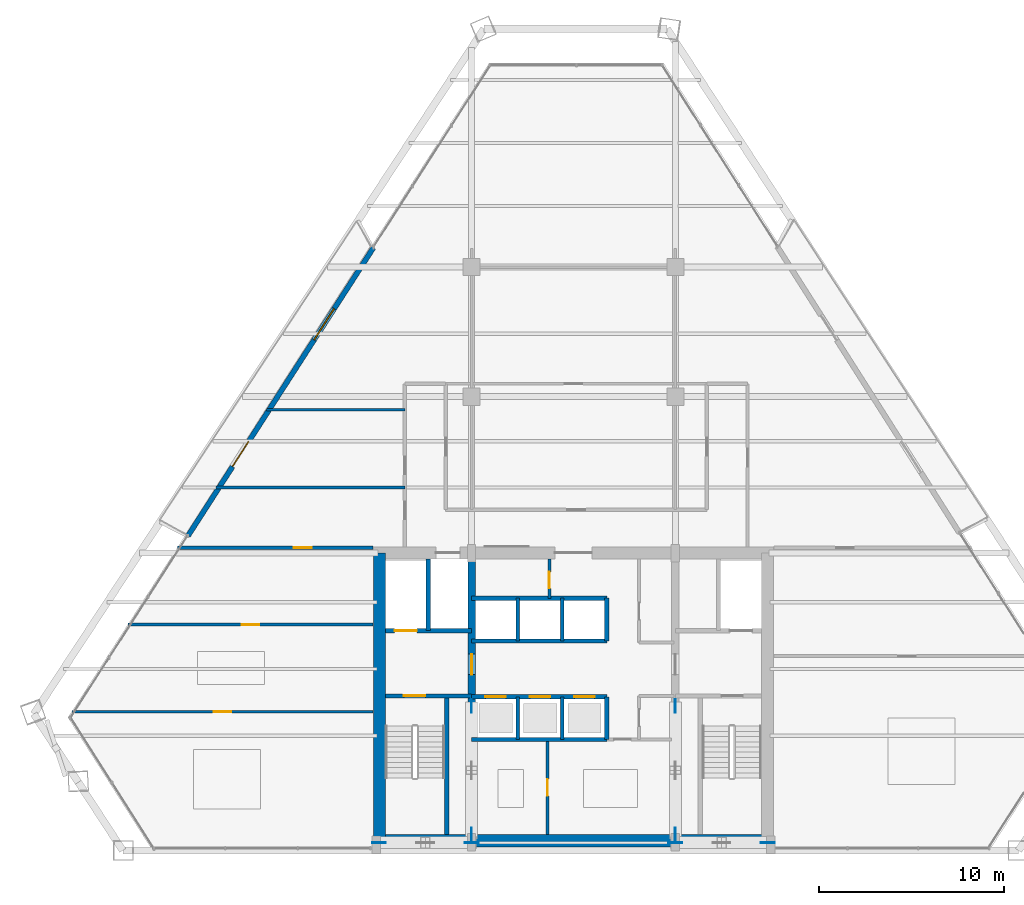
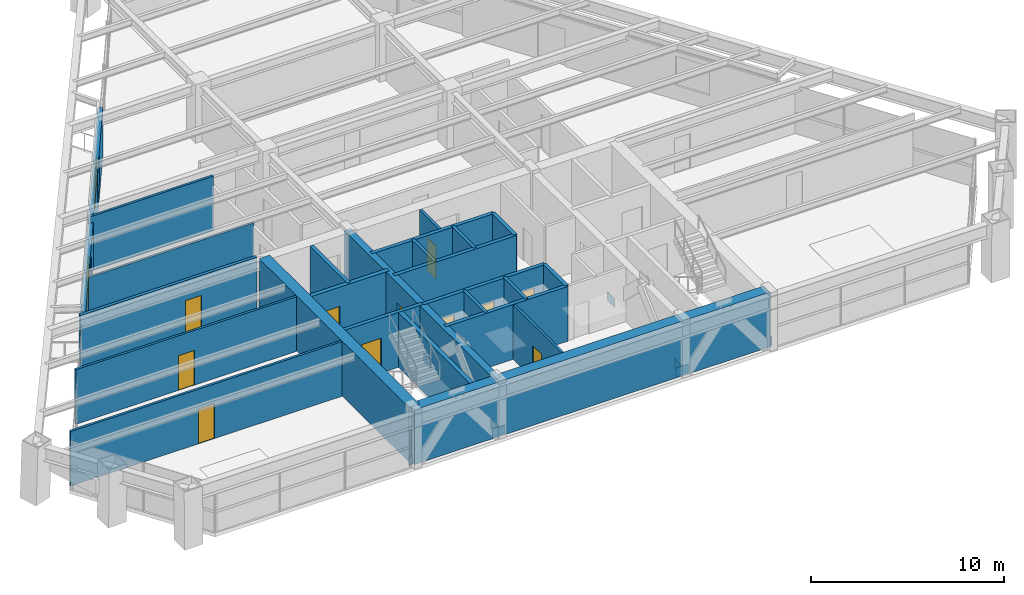
# One storey, part 11 of 16: 25 walls, 12 doors, 8 plates, 1 window, 13 openings.
"""IFC4 building model written with IfcOpenShell, lengths in metres."""

import ifcopenshell
import ifcopenshell.guid

model = None  # the IFC model being written
_history = None  # IfcOwnerHistory: only IFC2X3 demands one
_inside = {}  # id of a spatial element -> (the spatial element, [elements in it])
_under = {}  # id of a project, library or spatial element -> (it, [spatial elements below it])
_declared = {}  # id of a project -> (the project, [libraries it declares])
_typed = {}  # id of a type object -> (the type object, [elements of that type])
_made_of = {}  # id of a material, layer set ... -> (it, [elements and type objects made of it])


def new_model(schema):
    """Start an empty IFC model of exactly this schema.

    Asked for "IFC4X3", IfcOpenShell would pick the latest addendum, in which some entities
    have other attributes; the version numbers below select the first issue.
    IFC2X3 requires an IfcOwnerHistory on every rooted entity: one is made here for all.
    """
    global model, _history
    if schema == "IFC4X3":
        model = ifcopenshell.file(schema_version=(4, 3, 0, 0))
    else:
        model = ifcopenshell.file(schema=schema)
    _inside.clear()
    _under.clear()
    _declared.clear()
    _typed.clear()
    _made_of.clear()
    _history = None
    if model.schema == "IFC2X3":
        org = make("IfcOrganization", Name="unknown")
        user = make(
            "IfcPersonAndOrganization",
            ThePerson=make("IfcPerson", FamilyName="unknown"),
            TheOrganization=org,
        )
        app = make(
            "IfcApplication",
            ApplicationDeveloper=org,
            Version="unknown",
            ApplicationFullName="unknown",
            ApplicationIdentifier="unknown",
        )
        _history = make(
            "IfcOwnerHistory",
            OwningUser=user,
            OwningApplication=app,
            ChangeAction="ADDED",
            CreationDate=0,
        )
    return model


def make(cls, **values):
    """One entity of the class cls with the attributes given. An attribute that is None is left unset."""
    return model.create_entity(
        cls, **{name: value for name, value in values.items() if value is not None}
    )


def rooted(cls, **values):
    """An entity with a GlobalId (a new one), such as an element, a storey or a relation."""
    return make(cls, GlobalId=ifcopenshell.guid.new(), OwnerHistory=_history, **values)


def si_unit(unit_type, name, prefix=None):
    """IfcSIUnit, for example si_unit("LENGTHUNIT", "METRE", prefix="MILLI")."""
    return make("IfcSIUnit", UnitType=unit_type, Prefix=prefix, Name=name)


def assignment(units):
    """IfcUnitAssignment: the units of a project."""
    return None if units is None else make("IfcUnitAssignment", Units=units)


def point(xyz):
    """IfcCartesianPoint."""
    return None if xyz is None else make("IfcCartesianPoint", Coordinates=xyz)


def direction(xyz):
    """IfcDirection."""
    return None if xyz is None else make("IfcDirection", DirectionRatios=xyz)


def frame(location, z_axis=None, x_axis=None):
    """IfcAxis2Placement3D, a coordinate frame: its origin and axes. An axis left out is left unset."""
    return make(
        "IfcAxis2Placement3D",
        Location=point(location),
        Axis=direction(z_axis),
        RefDirection=direction(x_axis),
    )


def frame_2d(location, x_axis=None):
    """IfcAxis2Placement2D, a coordinate frame in the plane: its origin and x axis."""
    return make(
        "IfcAxis2Placement2D", Location=point(location), RefDirection=direction(x_axis)
    )


def origin():
    """The frame at (0, 0, 0) with its axes left unset."""
    return frame((0.0, 0.0, 0.0))


def origin_2d():
    """The frame at (0, 0) in the plane with its x axis left unset."""
    return frame_2d((0.0, 0.0))


def place(relative_to, where):
    """IfcLocalPlacement: puts the frame where relative to a parent placement (None: the world)."""
    return make(
        "IfcLocalPlacement", PlacementRelTo=relative_to, RelativePlacement=where
    )


def context(
    kind, dimensions, precision=None, world=None, true_north=None, identifier=None
):
    """IfcGeometricRepresentationContext, for example the 3D "Model" context."""
    return make(
        "IfcGeometricRepresentationContext",
        ContextIdentifier=identifier,
        ContextType=kind,
        CoordinateSpaceDimension=dimensions,
        Precision=precision,
        WorldCoordinateSystem=world,
        TrueNorth=true_north,
    )


def subcontext(parent, identifier, kind, view, scale=None):
    """IfcGeometricRepresentationSubContext, for example "Body" below "Model"."""
    return make(
        "IfcGeometricRepresentationSubContext",
        ContextIdentifier=identifier,
        ContextType=kind,
        ParentContext=parent,
        TargetScale=scale,
        TargetView=view,
    )


def project(units=None, contexts=None):
    """IfcProject with its units and contexts."""
    return rooted(
        "IfcProject",
        Name="project",
        RepresentationContexts=contexts,
        UnitsInContext=assignment(units),
    )


def spatial(cls, under=None, at=None, **own):
    """A site, building, storey or space (cls), placed at a placement, below another one or the project."""
    s = rooted(cls, ObjectPlacement=at, **own)
    if under is not None:
        _under.setdefault(under.id(), (under, []))[1].append(s)
    return s


def profile(cls, at=None, kind="AREA", **sizes):
    """A parametric profile (cls). Its sizes go by their IFC names, for example OverallWidth=200.0."""
    return make(cls, ProfileType=kind, Position=at, **sizes)


def rectangle(**sizes):
    """IfcRectangleProfileDef."""
    return profile("IfcRectangleProfileDef", **sizes)


def extrude(swept, where, along, depth):
    """IfcExtrudedAreaSolid: the profile swept, set in the frame where, extruded along a direction by depth."""
    return make(
        "IfcExtrudedAreaSolid",
        SweptArea=swept,
        Position=where,
        ExtrudedDirection=direction(along),
        Depth=depth,
    )


def shape(context_of_items, identifier, shape_type, items):
    """IfcShapeRepresentation: the items that make up one representation, for example the "Body"."""
    return make(
        "IfcShapeRepresentation",
        ContextOfItems=context_of_items,
        RepresentationIdentifier=identifier,
        RepresentationType=shape_type,
        Items=items,
    )


def source(mapping_origin, context_of_items, identifier, shape_type, items):
    """IfcRepresentationMap: a shape defined once, which mapped items show again and again."""
    return make(
        "IfcRepresentationMap",
        MappingOrigin=mapping_origin,
        MappedRepresentation=shape(context_of_items, identifier, shape_type, items),
    )


def transform(
    local_origin,
    x_axis=None,
    y_axis=None,
    z_axis=None,
    scale=None,
    scale2=None,
    scale3=None,
    uniform=True,
):
    """IfcCartesianTransformationOperator3D, or its non-uniform kind. x_axis, y_axis, z_axis: its Axis1, 2, 3."""
    if uniform:
        return make(
            "IfcCartesianTransformationOperator3D",
            Axis1=direction(x_axis),
            Axis2=direction(y_axis),
            LocalOrigin=point(local_origin),
            Scale=scale,
            Axis3=direction(z_axis),
        )
    return make(
        "IfcCartesianTransformationOperator3DnonUniform",
        Axis1=direction(x_axis),
        Axis2=direction(y_axis),
        LocalOrigin=point(local_origin),
        Scale=scale,
        Axis3=direction(z_axis),
        Scale2=scale2,
        Scale3=scale3,
    )


def mapped(mapping_source, mapping_target):
    """IfcMappedItem: shows the shape of a source again, moved by a transform."""
    return make(
        "IfcMappedItem", MappingSource=mapping_source, MappingTarget=mapping_target
    )


def material(Name=None, Category=None):
    """IfcMaterial."""
    return make("IfcMaterial", Name=Name, Category=Category)


def layer(
    of_material, thickness, ventilated=None, Name=None, Category=None, Priority=None
):
    """IfcMaterialLayer: one layer of a wall or slab, of a material (None: an air gap)."""
    return make(
        "IfcMaterialLayer",
        Material=of_material,
        LayerThickness=thickness,
        IsVentilated=ventilated,
        Name=Name,
        Category=Category,
        Priority=Priority,
    )


def layer_set(layers, Name=None):
    """IfcMaterialLayerSet."""
    return make("IfcMaterialLayerSet", MaterialLayers=layers, LayerSetName=Name)


def made_of(thing, what):
    """Note that an element or type object is made of a material, layer set ...; save() writes the relation."""
    if what is not None:
        _made_of.setdefault(what.id(), (what, []))[1].append(thing)
    return thing


def type_object(cls, material=None, **own):
    """A type object (cls), such as IfcWallType, which elements share."""
    return made_of(rooted(cls, **own), material)


def type_shapes(of_type, sources):
    """Give a type object the sources (RepresentationMaps) that its elements show as mapped items."""
    of_type.RepresentationMaps = sources


def element(
    cls,
    number,
    at=None,
    inside=None,
    cuts=None,
    type_object=None,
    material=None,
    context=None,
    identifier="Body",
    shape_type=None,
    held_by="IfcProductDefinitionShape",
    body=None,
    shapes=None,
    **own,
):
    """One element of the class cls, such as IfcWall. Its Tag is "e" and its number.

    at: its placement. inside: the storey or other place that contains it. cuts: it is an
    opening in that element (IfcRelVoidsElement). A single representation is given by context,
    identifier, shape_type and body (its items); several are given by shapes. held_by: the class
    of the entity that holds the representations. save() writes the other relations.
    """
    e = rooted(cls, Tag="e%d" % number, ObjectPlacement=at, **own)
    if body is not None:
        shapes = [shape(context, identifier, shape_type, body)]
    if shapes is not None:
        e.Representation = make(held_by, Representations=shapes)
    if inside is not None:
        _inside.setdefault(inside.id(), (inside, []))[1].append(e)
    if cuts is not None:
        rooted(
            "IfcRelVoidsElement", RelatingBuildingElement=cuts, RelatedOpeningElement=e
        )
    if type_object is not None:
        _typed.setdefault(type_object.id(), (type_object, []))[1].append(e)
    return made_of(e, material)


def fill(opening, filler):
    """IfcRelFillsElement: the door or window that sits in an opening."""
    return rooted(
        "IfcRelFillsElement",
        RelatingOpeningElement=opening,
        RelatedBuildingElement=filler,
    )


def aggregate(whole, parts):
    """IfcRelAggregates: a whole, such as a stair, and the parts it consists of."""
    return rooted("IfcRelAggregates", RelatingObject=whole, RelatedObjects=parts)


def save(model, path):
    """Write the relations noted so far, then the file.

    IfcRelAggregates (storeys below a building ...), IfcRelContainedInSpatialStructure (elements
    in a storey), IfcRelDefinesByType, IfcRelAssociatesMaterial and IfcRelDeclares: one each for
    every whole, place, type object, material and project.
    """
    for whole, parts in _under.values():
        aggregate(whole, parts)
    for where, things in _inside.values():
        rooted(
            "IfcRelContainedInSpatialStructure",
            RelatedElements=things,
            RelatingStructure=where,
        )
    for kind, things in _typed.values():
        rooted("IfcRelDefinesByType", RelatedObjects=things, RelatingType=kind)
    for what, things in _made_of.values():
        rooted("IfcRelAssociatesMaterial", RelatedObjects=things, RelatingMaterial=what)
    for by, libraries in _declared.values():
        rooted("IfcRelDeclares", RelatingContext=by, RelatedDefinitions=libraries)
    model.write(path)


model = new_model("IFC4")

# Units and contexts
model_context = context("Model", 3, precision=1e-05, world=origin(), true_north=direction((0.0, 1.0)))
body_context = subcontext(model_context, "Body", "Model", "MODEL_VIEW")
ifc_project = project(units=[si_unit("LENGTHUNIT", "METRE"), si_unit("AREAUNIT", "SQUARE_METRE"), si_unit("VOLUMEUNIT", "CUBIC_METRE"), si_unit("PLANEANGLEUNIT", "RADIAN"), si_unit("MASSUNIT", "GRAM", prefix="KILO")], contexts=[model_context])

# Site, building, storey
site_placement = place(None, origin())
site = spatial("IfcSite", under=ifc_project, at=site_placement, CompositionType="ELEMENT")
building_placement = place(site_placement, origin())
building = spatial("IfcBuilding", under=site, at=building_placement, Name="Varnakhor Terracotta Tower", CompositionType="ELEMENT")
storey_placement = place(building_placement, frame((0.0, 0.0, 151.5)))
storey = spatial("IfcBuildingStorey", under=building, at=storey_placement, Name="L38", CompositionType="ELEMENT", Elevation=151.5)

# Plates
ifc_material_1 = material(Name="Steel S460", Category="steel")
ifc_layer_1 = layer(ifc_material_1, 0.050048828125, Name="Steel S460")
ifc_layer_set_1 = layer_set([ifc_layer_1], Name="Steel S460")
plate_type = type_object("IfcPlateType", Name="PLT-GUSSET-50", PredefinedType="USERDEFINED", material=ifc_layer_set_1)
shared_shape_1 = source(origin(), body_context, "Body", "SweptSolid", [
    extrude(rectangle(XDim=0.75, YDim=0.0400390625, at=origin_2d()), origin(), (0.0, 0.0, 1.0), 0.550048828125),
])
type_shapes(plate_type, [shared_shape_1])
for number, where, z_axis, x_axis, name in (
    (1, (-10.5, 0.419921875, -0.09521484375), (0.0, 0.0, 1.0), (1.0, 0.0, 0.0), "L38 Core Brace Embed Plate CSWA"),
    (2, (-5.5, 0.419921875, -0.09521484375), (0.0, 0.0, 1.0), (1.0, 0.0, 0.0), "L38 Core Brace Embed Plate CSWB"),
    (3, (5.5, 0.419921875, -0.09521484375), (0.0, 0.0, 1.0), (1.0, 0.0, 0.0), "L38 Core Brace Embed Plate CSEA"),
    (4, (10.5, 0.419921875, -0.09521484375), (0.0, 0.0, 1.0), (1.0, 0.0, 0.0), "L38 Core Brace Embed Plate CSEB"),
    (5, (-5.5, 0.85009765625, -0.09521484375), (0.0, 0.0, 1.0), (0.0, 1.0, 0.0), "L38 Core Brace Embed Plate CWWA"),
    (6, (-5.5, 7.800048828125, -0.09521484375), (0.0, 0.0, 1.0), (0.0, 1.0, 0.0), "L38 Core Brace Embed Plate CWWB"),
    (7, (5.5, 0.85009765625, -0.09521484375), (0.0, 0.0, 1.0), (0.0, 1.0, 0.0), "L38 Core Brace Embed Plate CWEA"),
    (8, (5.5, 7.800048828125, -0.09521484375), (0.0, 0.0, 1.0), (0.0, 1.0, 0.0), "L38 Core Brace Embed Plate CWEB"),
):
    element("IfcPlate", number, at=place(storey_placement, frame(where, z_axis=z_axis, x_axis=x_axis)), inside=storey, type_object=plate_type, Name=name, ObjectType="GUSSET PLATE", PredefinedType="USERDEFINED", context=body_context, shape_type="MappedRepresentation", body=[
        mapped(shared_shape_1, transform((0.0, 0.0, 0.0), scale=1.0)),
    ])

# Walls
ifc_material_2 = material(Name="Concrete C50/60", Category="concrete")
ifc_layer_2 = layer(ifc_material_2, 0.64990234375, Name="Concrete C50/60")
ifc_layer_set_2 = layer_set([ifc_layer_2], Name="Concrete C50/60")
wall_type_1 = type_object("IfcWallType", Name="WAL-CORE-650", PredefinedType="SHEAR", material=ifc_layer_set_2)
wall_1_placement = place(storey_placement, frame((-10.64990234375, 0.52490234375, 0.0), z_axis=(0.0, 0.0, 1.0), x_axis=(1.0, 0.0, 0.0)))
element("IfcWall", 9, at=wall_1_placement, inside=storey, type_object=wall_type_1, Name="L38 South Core Shear Wall", PredefinedType="SHEAR", context=body_context, shape_type="SweptSolid", body=[
    extrude(rectangle(XDim=21.2998046875, YDim=0.64990234375, at=frame_2d((10.64990234375, 0.0))), origin(), (0.0, 0.0, 1.0), 3.469970703125),
])
wall_2_placement = place(storey_placement, frame((-10.47509765625, 0.52490234375, 0.0), z_axis=(0.0, 0.0, 1.0), x_axis=(0.0, 1.0, 0.0)))
element("IfcWall", 10, at=wall_2_placement, inside=storey, type_object=wall_type_1, Name="L38 West Core Shear Wall", PredefinedType="SHEAR", context=body_context, shape_type="SweptSolid", body=[
    extrude(rectangle(XDim=15.550048828125, YDim=0.64990234375, at=frame_2d((7.77490234375, 0.0))), origin(), (0.0, 0.0, 1.0), 3.469970703125),
])

# Wall, opening, door
ifc_layer_3 = layer(ifc_material_2, 0.39990234375, Name="Concrete C50/60")
ifc_layer_set_3 = layer_set([ifc_layer_3], Name="Concrete C50/60")
wall_type_2 = type_object("IfcWallType", Name="WAL-CORE-WEB-400", PredefinedType="SHEAR", material=ifc_layer_set_3)
wall_3_placement = place(storey_placement, frame((-5.5, 0.52490234375, 0.0), z_axis=(0.0, 0.0, 1.0), x_axis=(0.0, 1.0, 0.0)))
wall_3 = element("IfcWall", 11, at=wall_3_placement, inside=storey, type_object=wall_type_2, Name="L38 West Core Web Shear Wall", PredefinedType="SHEAR", context=body_context, shape_type="SweptSolid", body=[
    extrude(rectangle(XDim=15.550048828125, YDim=0.39990234375, at=frame_2d((7.77490234375, 0.0))), origin(), (0.0, 0.0, 1.0), 3.469970703125),
])
opening_1_placement = place(wall_3_placement, frame((8.97509765625, 0.0, 0.0)))
opening_1 = element("IfcOpeningElement", 12, at=opening_1_placement, cuts=wall_3, Name="Opening DR-25", PredefinedType="OPENING", context=body_context, shape_type="SweptSolid", body=[
    extrude(rectangle(XDim=1.10009765625, YDim=2.199951171875, at=frame_2d((0.550048828125, 1.10009765625))), frame((0.0, 0.2099609375, 0.0), z_axis=(0.0, -1.0, 0.0), x_axis=(1.0, 0.0, 0.0)), (0.0, 0.0, 1.0), 0.419921875),
])
ifc_material_3 = material(Name="Firefighting Lobby Self-Closing Fire Door", Category="steel")
door_type_1 = type_object("IfcDoorType", Name="DR-FFL-1100X2200", OperationType="NOTDEFINED", PredefinedType="DOOR", material=ifc_material_3)
shared_shape_2 = source(origin(), body_context, "Body", "SweptSolid", [
    extrude(rectangle(XDim=1.10009765625, YDim=2.199951171875, at=frame_2d((0.550048828125, 1.10009765625))), frame((0.0, 0.02490234375, 0.0), z_axis=(0.0, -1.0, 0.0), x_axis=(1.0, 0.0, 0.0)), (0.0, 0.0, 1.0), 0.050048828125),
])
type_shapes(door_type_1, [shared_shape_2])
door_1_placement = place(opening_1_placement, origin())
door_1 = element("IfcDoor", 13, at=door_1_placement, inside=storey, type_object=door_type_1, Name="L38 West Firefighting Lobby Door", OperationType="SINGLE_SWING_RIGHT", OverallHeight=2.199951171875, OverallWidth=1.10009765625, PredefinedType="DOOR", context=body_context, shape_type="MappedRepresentation", body=[
    mapped(shared_shape_2, transform((0.0, 0.0, 0.0), scale=1.0)),
])
fill(opening_1, door_1)

ifc_material_4 = material(Name="Fire-Rated Gypsum Stud Partition", Category="gypsum")
ifc_layer_4 = layer(ifc_material_4, 0.18505859375, Name="Fire-Rated Gypsum Stud Partition")
ifc_layer_set_4 = layer_set([ifc_layer_4], Name="Fire-Rated Gypsum Stud Partition")
wall_type_3 = type_object("IfcWallType", Name="WAL-CORR-185", PredefinedType="PARTITIONING", material=ifc_layer_set_4)
wall_4_placement = place(storey_placement, frame((-21.3798828125, 16.35009765625, 0.0), z_axis=(0.0, 0.0, 1.0), x_axis=(1.0, 0.0, 0.0)))
wall_4 = element("IfcWall", 14, at=wall_4_placement, inside=storey, type_object=wall_type_3, Name="L38 South West Entry Wall", PredefinedType="PARTITIONING", context=body_context, shape_type="SweptSolid", body=[
    extrude(rectangle(XDim=10.559814453125, YDim=0.18505859375, at=frame_2d((5.27978515625, 0.0))), origin(), (0.0, 0.0, 1.0), 3.4619140625),
])
opening_2_placement = place(wall_4_placement, frame((6.286865234375, 0.0, 0.0)))
opening_2 = element("IfcOpeningElement", 15, at=opening_2_placement, cuts=wall_4, Name="Opening DR-94", PredefinedType="OPENING", context=body_context, shape_type="SweptSolid", body=[
    extrude(rectangle(XDim=0.949951171875, YDim=2.199951171875, at=frame_2d((0.47509765625, 1.10009765625))), frame((0.0, 0.1025390625, 0.0), z_axis=(0.0, -1.0, 0.0), x_axis=(1.0, 0.0, 0.0)), (0.0, 0.0, 1.0), 0.205078125),
])
ifc_material_5 = material(Name="Acoustic Glazed-Vision Timber Office Door", Category="wood")
door_type_2 = type_object("IfcDoorType", Name="DR-OFF-950X2200", OperationType="NOTDEFINED", PredefinedType="DOOR", material=ifc_material_5)
shared_shape_3 = source(origin(), body_context, "Body", "SweptSolid", [
    extrude(rectangle(XDim=0.949951171875, YDim=2.199951171875, at=frame_2d((0.47509765625, 1.10009765625))), frame((0.0, 0.02490234375, 0.0), z_axis=(0.0, -1.0, 0.0), x_axis=(1.0, 0.0, 0.0)), (0.0, 0.0, 1.0), 0.050048828125),
])
type_shapes(door_type_2, [shared_shape_3])
door_2_placement = place(opening_2_placement, origin())
door_2 = element("IfcDoor", 16, at=door_2_placement, inside=storey, type_object=door_type_2, Name="L38 SW Suite Door", OperationType="SINGLE_SWING_LEFT", OverallHeight=2.199951171875, OverallWidth=0.949951171875, PredefinedType="DOOR", context=body_context, shape_type="MappedRepresentation", body=[
    mapped(shared_shape_3, transform((0.0, 0.0, 0.0), scale=1.0)),
])
fill(opening_2, door_2)

# Wall, openings, door, window
ifc_material_6 = material(Name="Extruded Architectural Terracotta Assembly", Category="masonry")
ifc_layer_5 = layer(ifc_material_6, 0.280029296875, Name="Extruded Architectural Terracotta Assembly")
ifc_layer_set_5 = layer_set([ifc_layer_5], Name="Extruded Architectural Terracotta Assembly")
wall_type_4 = type_object("IfcWallType", Name="WAL-EXT-TERRACOTTA-280", PredefinedType="SOLIDWALL", material=ifc_layer_set_5)
wall_5_placement = place(storey_placement, frame((-20.80908203125, 16.996337890625, 0.0), z_axis=(0.0, 0.0, 1.0), x_axis=(0.541198565195, 0.840894828757, 0.0)))
wall_5 = element("IfcWall", 17, at=wall_5_placement, inside=storey, type_object=wall_type_4, Name="L38 W Loggia Insulated Terracotta Wall", PredefinedType="SOLIDWALL", context=body_context, shape_type="SweptSolid", body=[
    extrude(rectangle(XDim=18.492919921875, YDim=0.280029296875, at=frame_2d((9.24658203125, 0.0))), origin(), (0.0, 0.0, 1.0), 3.050048828125),
])
opening_3_placement = place(wall_5_placement, frame((4.438232421875, 0.0, 0.0)))
opening_3 = element("IfcOpeningElement", 18, at=opening_3_placement, cuts=wall_5, Name="Opening DR-62", PredefinedType="OPENING", context=body_context, shape_type="SweptSolid", body=[
    extrude(rectangle(XDim=1.60009765625, YDim=2.35009765625, at=frame_2d((0.800048828125, 1.175048828125))), frame((0.0, 0.14990234375, 0.0), z_axis=(0.0, -1.0, 0.0), x_axis=(1.0, 0.0, 0.0)), (0.0, 0.0, 1.0), 0.300048828125),
])
opening_4_placement = place(wall_5_placement, frame((12.5751953125, 0.0, 0.89990234375)))
opening_4 = element("IfcOpeningElement", 19, at=opening_4_placement, cuts=wall_5, Name="Opening WN-26", PredefinedType="OPENING", context=body_context, shape_type="SweptSolid", body=[
    extrude(rectangle(XDim=2.0, YDim=1.85009765625, at=frame_2d((1.0, 0.925048828125))), frame((0.0, 0.14990234375, 0.0), z_axis=(0.0, -1.0, 0.0), x_axis=(1.0, 0.0, 0.0)), (0.0, 0.0, 1.0), 0.300048828125),
])
ifc_material_7 = material(Name="Thermally Broken Sliding Glass Loggia Door", Category="glass")
door_type_3 = type_object("IfcDoorType", Name="DR-EXT-LOGGIA-1600X2350", OperationType="NOTDEFINED", PredefinedType="DOOR", material=ifc_material_7)
shared_shape_4 = source(origin(), body_context, "Body", "SweptSolid", [
    extrude(rectangle(XDim=1.60009765625, YDim=2.35009765625, at=frame_2d((0.800048828125, 1.175048828125))), frame((0.0, 0.02490234375, 0.0), z_axis=(0.0, -1.0, 0.0), x_axis=(1.0, 0.0, 0.0)), (0.0, 0.0, 1.0), 0.050048828125),
])
type_shapes(door_type_3, [shared_shape_4])
door_3_placement = place(opening_3_placement, origin())
door_3 = element("IfcDoor", 20, at=door_3_placement, inside=storey, type_object=door_type_3, Name="L38 W Recessed Loggia Sliding Door", OperationType="SLIDING_TO_LEFT", OverallHeight=2.35009765625, OverallWidth=1.60009765625, PredefinedType="DOOR", context=body_context, shape_type="MappedRepresentation", body=[
    mapped(shared_shape_4, transform((0.0, 0.0, 0.0), scale=1.0)),
])
fill(opening_3, door_3)
ifc_material_8 = material(Name="Solar-Control Low-E Insulated Glass Unit", Category="glass")
window_type = type_object("IfcWindowType", Name="WIN-OFF-2200X2100", PartitioningType="SINGLE_PANEL", PredefinedType="WINDOW", material=ifc_material_8)
shared_shape_5 = source(origin(), body_context, "Body", "SweptSolid", [
    extrude(rectangle(XDim=2.0, YDim=1.85009765625, at=frame_2d((1.0, 0.925048828125))), frame((0.0, 0.030029296875, 0.0), z_axis=(0.0, -1.0, 0.0), x_axis=(1.0, 0.0, 0.0)), (0.0, 0.0, 1.0), 0.06005859375),
])
type_shapes(window_type, [shared_shape_5])
window_placement = place(opening_4_placement, origin())
window = element("IfcWindow", 21, at=window_placement, inside=storey, type_object=window_type, Name="L38 W Facet Punched Window", OverallHeight=1.85009765625, OverallWidth=2.0, PartitioningType="SINGLE_PANEL", PredefinedType="WINDOW", context=body_context, shape_type="MappedRepresentation", body=[
    mapped(shared_shape_5, transform((0.0, 0.0, 0.0), scale=1.0)),
])
fill(opening_4, window)

# Wall, opening, door
ifc_material_9 = material(Name="Concrete C40/50", Category="concrete")
ifc_layer_6 = layer(ifc_material_9, 0.219970703125, Name="Concrete C40/50")
ifc_layer_set_6 = layer_set([ifc_layer_6], Name="Concrete C40/50")
wall_type_5 = type_object("IfcWallType", Name="WAL-FFLOBBY-220", PredefinedType="SOLIDWALL", material=ifc_layer_set_6)
wall_6_placement = place(storey_placement, frame((-5.5, 8.35009765625, 0.0), z_axis=(0.0, 0.0, 1.0), x_axis=(-1.0, 0.0, 0.0)))
wall_6 = element("IfcWall", 22, at=wall_6_placement, inside=storey, type_object=wall_type_5, Name="L38 West Firefighting Lobby Stair Wall", PredefinedType="SOLIDWALL", context=body_context, shape_type="SweptSolid", body=[
    extrude(rectangle(XDim=4.64990234375, YDim=0.219970703125, at=frame_2d((2.324951171875, 0.0))), origin(), (0.0, 0.0, 1.0), 3.469970703125),
])
opening_5_placement = place(wall_6_placement, frame((2.5, 0.0, 0.0)))
opening_5 = element("IfcOpeningElement", 23, at=opening_5_placement, cuts=wall_6, Name="Opening DR-34", PredefinedType="OPENING", context=body_context, shape_type="SweptSolid", body=[
    extrude(rectangle(XDim=1.14990234375, YDim=2.199951171875, at=frame_2d((0.574951171875, 1.10009765625))), frame((0.0, 0.1201171875, 0.0), z_axis=(0.0, -1.0, 0.0), x_axis=(1.0, 0.0, 0.0)), (0.0, 0.0, 1.0), 0.239990234375),
])
ifc_material_10 = material(Name="Self-Closing Smoke-Sealed Steel Fire Door", Category="steel")
door_type_4 = type_object("IfcDoorType", Name="DR-STAIR-1150X2200", OperationType="NOTDEFINED", PredefinedType="DOOR", material=ifc_material_10)
shared_shape_6 = source(origin(), body_context, "Body", "SweptSolid", [
    extrude(rectangle(XDim=1.14990234375, YDim=2.199951171875, at=frame_2d((0.574951171875, 1.10009765625))), frame((0.0, 0.02490234375, 0.0), z_axis=(0.0, -1.0, 0.0), x_axis=(1.0, 0.0, 0.0)), (0.0, 0.0, 1.0), 0.050048828125),
])
type_shapes(door_type_4, [shared_shape_6])
door_4_placement = place(opening_5_placement, origin())
door_4 = element("IfcDoor", 24, at=door_4_placement, inside=storey, type_object=door_type_4, Name="L38 Exit Stair ST-1 Fire Door", OperationType="SINGLE_SWING_LEFT", OverallHeight=2.199951171875, OverallWidth=1.14990234375, PredefinedType="DOOR", context=body_context, shape_type="MappedRepresentation", body=[
    mapped(shared_shape_6, transform((0.0, 0.0, 0.0), scale=1.0)),
])
fill(opening_5, door_4)

ifc_material_11 = material(Name="Acoustic Metal-Stud Partition", Category="gypsum")
ifc_layer_7 = layer(ifc_material_11, 0.139892578125, Name="Acoustic Metal-Stud Partition")
ifc_layer_set_7 = layer_set([ifc_layer_7], Name="Acoustic Metal-Stud Partition")
wall_type_6 = type_object("IfcWallType", Name="WAL-PART-140", PredefinedType="PARTITIONING", material=ifc_layer_set_7)
wall_7_placement = place(storey_placement, frame((-27.07568359375, 7.5, 0.0), z_axis=(0.0, 0.0, 1.0), x_axis=(1.0, 0.0, 0.0)))
wall_7 = element("IfcWall", 25, at=wall_7_placement, inside=storey, type_object=wall_type_6, Name="L38 West Wing Cut 1", PredefinedType="PARTITIONING", context=body_context, shape_type="SweptSolid", body=[
    extrude(rectangle(XDim=16.255615234375, YDim=0.139892578125, at=frame_2d((8.1279296875, 0.0))), origin(), (0.0, 0.0, 1.0), 3.4619140625),
])
opening_6_placement = place(wall_7_placement, frame((7.66162109375, 0.0, 0.0)))
opening_6 = element("IfcOpeningElement", 26, at=opening_6_placement, cuts=wall_7, Name="Opening DR-94", PredefinedType="OPENING", context=body_context, shape_type="SweptSolid", body=[
    extrude(rectangle(XDim=0.949951171875, YDim=2.199951171875, at=frame_2d((0.47509765625, 1.10009765625))), frame((0.0, 0.080078125, 0.0), z_axis=(0.0, -1.0, 0.0), x_axis=(1.0, 0.0, 0.0)), (0.0, 0.0, 1.0), 0.159912109375),
])
door_5_placement = place(opening_6_placement, origin())
door_5 = element("IfcDoor", 27, at=door_5_placement, inside=storey, type_object=door_type_2, Name="L38 Wellness Lounge 4 Door", OperationType="SINGLE_SWING_LEFT", OverallHeight=2.199951171875, OverallWidth=0.949951171875, PredefinedType="DOOR", context=body_context, shape_type="MappedRepresentation", body=[
    mapped(shared_shape_3, transform((0.0, 0.0, 0.0), scale=1.0)),
])
fill(opening_6, door_5)

wall_8_placement = place(storey_placement, frame((-24.05078125, 12.199951171875, 0.0), z_axis=(0.0, 0.0, 1.0), x_axis=(1.0, 0.0, 0.0)))
wall_8 = element("IfcWall", 28, at=wall_8_placement, inside=storey, type_object=wall_type_6, Name="L38 West Wing Cut 2", PredefinedType="PARTITIONING", context=body_context, shape_type="SweptSolid", body=[
    extrude(rectangle(XDim=13.230712890625, YDim=0.139892578125, at=frame_2d((6.615234375, 0.0))), origin(), (0.0, 0.0, 1.0), 3.4619140625),
])
opening_7_placement = place(wall_8_placement, frame((6.14892578125, 0.0, 0.0)))
opening_7 = element("IfcOpeningElement", 29, at=opening_7_placement, cuts=wall_8, Name="Opening DR-94", PredefinedType="OPENING", context=body_context, shape_type="SweptSolid", body=[
    extrude(rectangle(XDim=0.949951171875, YDim=2.199951171875, at=frame_2d((0.47509765625, 1.10009765625))), frame((0.0, 0.080078125, 0.0), z_axis=(0.0, -1.0, 0.0), x_axis=(1.0, 0.0, 0.0)), (0.0, 0.0, 1.0), 0.159912109375),
])
door_6_placement = place(opening_7_placement, origin())
door_6 = element("IfcDoor", 30, at=door_6_placement, inside=storey, type_object=door_type_2, Name="L38 Executive Lounge 1 B3 Door", OperationType="SINGLE_SWING_RIGHT", OverallHeight=2.199951171875, OverallWidth=0.949951171875, PredefinedType="DOOR", context=body_context, shape_type="MappedRepresentation", body=[
    mapped(shared_shape_3, transform((0.0, 0.0, 0.0), scale=1.0)),
])
fill(opening_7, door_6)

# Walls
wall_9_placement = place(storey_placement, frame((-19.2880859375, 19.60009765625, 0.0), z_axis=(0.0, 0.0, 1.0), x_axis=(1.0, 0.0, 0.0)))
element("IfcWall", 31, at=wall_9_placement, inside=storey, type_object=wall_type_6, Name="L38 West Wing Cut 3", PredefinedType="PARTITIONING", context=body_context, shape_type="SweptSolid", body=[
    extrude(rectangle(XDim=10.18798828125, YDim=0.139892578125, at=frame_2d((5.093994140625, 0.0))), origin(), (0.0, 0.0, 1.0), 3.049072265625),
])
wall_10_placement = place(storey_placement, frame((-16.5849609375, 23.800048828125, 0.0), z_axis=(0.0, 0.0, 1.0), x_axis=(1.0, 0.0, 0.0)))
element("IfcWall", 32, at=wall_10_placement, inside=storey, type_object=wall_type_6, Name="L38 West Wing Cut 4", PredefinedType="PARTITIONING", context=body_context, shape_type="SweptSolid", body=[
    extrude(rectangle(XDim=7.48486328125, YDim=0.139892578125, at=frame_2d((3.742431640625, 0.0))), origin(), (0.0, 0.0, 1.0), 3.4619140625),
])
ifc_layer_8 = layer(ifc_material_9, 0.179931640625, Name="Concrete C40/50")
ifc_layer_set_8 = layer_set([ifc_layer_8], Name="Concrete C40/50")
wall_type_7 = type_object("IfcWallType", Name="WAL-SHAFT-180", PredefinedType="SOLIDWALL", material=ifc_layer_set_8)
for number, where, z_axis, x_axis, name in (
    (33, (-3.0, 6.0, 0.0), (0.0, 0.0, 1.0), (0.0, 1.0, 0.0), "L38 PL-2A Divider"),
    (34, (-0.60009765625, 6.0, 0.0), (0.0, 0.0, 1.0), (0.0, 1.0, 0.0), "L38 PL-2B Divider"),
    (35, (-3.0, 11.320068359375, 0.0), (0.0, 0.0, 1.0), (0.0, 1.0, 0.0), "L38 PL-3A Divider"),
    (36, (-0.60009765625, 11.320068359375, 0.0), (0.0, 0.0, 1.0), (0.0, 1.0, 0.0), "L38 PL-3B Divider"),
):
    element("IfcWall", number, at=place(storey_placement, frame(where, z_axis=z_axis, x_axis=x_axis)), inside=storey, type_object=wall_type_7, Name=name, PredefinedType="SOLIDWALL", context=body_context, shape_type="SweptSolid", body=[
        extrude(rectangle(XDim=2.300048828125, YDim=0.179931640625, at=frame_2d((1.14990234375, 0.0))), origin(), (0.0, 0.0, 1.0), 3.469970703125),
    ])
ifc_layer_9 = layer(ifc_material_9, 0.219970703125, Name="Concrete C40/50")
ifc_layer_set_9 = layer_set([ifc_layer_9], Name="Concrete C40/50")
wall_type_8 = type_object("IfcWallType", Name="WAL-SHAFT-220", PredefinedType="SOLIDWALL", material=ifc_layer_set_9)
wall_11_placement = place(storey_placement, frame((-7.840087890625, 11.8701171875, 0.0), z_axis=(0.0, 0.0, 1.0), x_axis=(0.0, 1.0, 0.0)))
element("IfcWall", 37, at=wall_11_placement, inside=storey, type_object=wall_type_8, Name="L38 Lift FFL-1 and SVL-1 Divider Wall", PredefinedType="SOLIDWALL", context=body_context, shape_type="SweptSolid", body=[
    extrude(rectangle(XDim=3.8798828125, YDim=0.219970703125, at=frame_2d((1.93994140625, 0.0))), origin(), (0.0, 0.0, 1.0), 3.469970703125),
])
wall_12_placement = place(storey_placement, frame((-5.5, 6.0, 0.0), z_axis=(0.0, 0.0, 1.0), x_axis=(1.0, 0.0, 0.0)))
element("IfcWall", 38, at=wall_12_placement, inside=storey, type_object=wall_type_8, Name="L38 Bank 2 South Shaft Wall", PredefinedType="SOLIDWALL", context=body_context, shape_type="SweptSolid", body=[
    extrude(rectangle(XDim=7.320068359375, YDim=0.219970703125, at=frame_2d((3.66015625, 0.0))), origin(), (0.0, 0.0, 1.0), 3.469970703125),
])

# Wall, openings, doors
wall_13_placement = place(storey_placement, frame((-5.5, 8.300048828125, 0.0), z_axis=(0.0, 0.0, 1.0), x_axis=(1.0, 0.0, 0.0)))
wall_13 = element("IfcWall", 39, at=wall_13_placement, inside=storey, type_object=wall_type_8, Name="L38 Bank 2 North Shaft Wall", PredefinedType="SOLIDWALL", context=body_context, shape_type="SweptSolid", body=[
    extrude(rectangle(XDim=7.320068359375, YDim=0.219970703125, at=frame_2d((3.66015625, 0.0))), origin(), (0.0, 0.0, 1.0), 3.469970703125),
])
opening_8_placement = place(wall_13_placement, frame((0.75, 0.0, 0.0)))
opening_8 = element("IfcOpeningElement", 40, at=opening_8_placement, cuts=wall_13, Name="Opening LD-01", PredefinedType="OPENING", context=body_context, shape_type="SweptSolid", body=[
    extrude(rectangle(XDim=1.10009765625, YDim=2.199951171875, at=frame_2d((0.550048828125, 1.10009765625))), frame((0.0, 0.1201171875, 0.0), z_axis=(0.0, -1.0, 0.0), x_axis=(1.0, 0.0, 0.0)), (0.0, 0.0, 1.0), 0.239990234375),
])
opening_9_placement = place(wall_13_placement, frame((3.14990234375, 0.0, 0.0)))
opening_9 = element("IfcOpeningElement", 41, at=opening_9_placement, cuts=wall_13, Name="Opening LD-01", PredefinedType="OPENING", context=body_context, shape_type="SweptSolid", body=[
    extrude(rectangle(XDim=1.10009765625, YDim=2.199951171875, at=frame_2d((0.550048828125, 1.10009765625))), frame((0.0, 0.1201171875, 0.0), z_axis=(0.0, -1.0, 0.0), x_axis=(1.0, 0.0, 0.0)), (0.0, 0.0, 1.0), 0.239990234375),
])
opening_10_placement = place(wall_13_placement, frame((5.550048828125, 0.0, 0.0)))
opening_10 = element("IfcOpeningElement", 42, at=opening_10_placement, cuts=wall_13, Name="Opening LD-01", PredefinedType="OPENING", context=body_context, shape_type="SweptSolid", body=[
    extrude(rectangle(XDim=1.10009765625, YDim=2.199951171875, at=frame_2d((0.550048828125, 1.10009765625))), frame((0.0, 0.1201171875, 0.0), z_axis=(0.0, -1.0, 0.0), x_axis=(1.0, 0.0, 0.0)), (0.0, 0.0, 1.0), 0.239990234375),
])
ifc_material_12 = material(Name="Brushed Stainless Steel Sliding Lift Landing Door", Category="steel")
door_type_5 = type_object("IfcDoorType", Name="LD-PASS-1100X2200", OperationType="NOTDEFINED", PredefinedType="DOOR", material=ifc_material_12)
shared_shape_7 = source(origin(), body_context, "Body", "SweptSolid", [
    extrude(rectangle(XDim=1.10009765625, YDim=2.199951171875, at=frame_2d((0.550048828125, 1.10009765625))), frame((0.0, 0.02490234375, 0.0), z_axis=(0.0, -1.0, 0.0), x_axis=(1.0, 0.0, 0.0)), (0.0, 0.0, 1.0), 0.050048828125),
])
type_shapes(door_type_5, [shared_shape_7])
door_7_placement = place(opening_8_placement, origin())
door_7 = element("IfcDoor", 43, at=door_7_placement, inside=storey, type_object=door_type_5, Name="L38 Passenger Lift PL-2A Landing Door", OperationType="SLIDING_TO_LEFT", OverallHeight=2.199951171875, OverallWidth=1.10009765625, PredefinedType="DOOR", context=body_context, shape_type="MappedRepresentation", body=[
    mapped(shared_shape_7, transform((0.0, 0.0, 0.0), scale=1.0)),
])
fill(opening_8, door_7)
door_8_placement = place(opening_9_placement, origin())
door_8 = element("IfcDoor", 44, at=door_8_placement, inside=storey, type_object=door_type_5, Name="L38 Passenger Lift PL-2B Landing Door", OperationType="SLIDING_TO_LEFT", OverallHeight=2.199951171875, OverallWidth=1.10009765625, PredefinedType="DOOR", context=body_context, shape_type="MappedRepresentation", body=[
    mapped(shared_shape_7, transform((0.0, 0.0, 0.0), scale=1.0)),
])
fill(opening_9, door_8)
door_9_placement = place(opening_10_placement, origin())
door_9 = element("IfcDoor", 45, at=door_9_placement, inside=storey, type_object=door_type_5, Name="L38 Passenger Lift PL-2C Landing Door", OperationType="SLIDING_TO_LEFT", OverallHeight=2.199951171875, OverallWidth=1.10009765625, PredefinedType="DOOR", context=body_context, shape_type="MappedRepresentation", body=[
    mapped(shared_shape_7, transform((0.0, 0.0, 0.0), scale=1.0)),
])
fill(opening_10, door_9)

# Walls
wall_14_placement = place(storey_placement, frame((1.800048828125, 6.0, 0.0), z_axis=(0.0, 0.0, 1.0), x_axis=(0.0, 1.0, 0.0)))
element("IfcWall", 46, at=wall_14_placement, inside=storey, type_object=wall_type_8, Name="L38 Bank 2 East Shaft Wall", PredefinedType="SOLIDWALL", context=body_context, shape_type="SweptSolid", body=[
    extrude(rectangle(XDim=2.300048828125, YDim=0.219970703125, at=frame_2d((1.14990234375, 0.0))), origin(), (0.0, 0.0, 1.0), 3.469970703125),
])
for number, where, z_axis, x_axis, name in (
    (47, (-5.5, 11.320068359375, 0.0), (0.0, 0.0, 1.0), (1.0, 0.0, 0.0), "L38 Bank 3 South Shaft Wall"),
    (48, (-5.5, 13.6201171875, 0.0), (0.0, 0.0, 1.0), (1.0, 0.0, 0.0), "L38 Bank 3 North Shaft Wall"),
):
    element("IfcWall", number, at=place(storey_placement, frame(where, z_axis=z_axis, x_axis=x_axis)), inside=storey, type_object=wall_type_8, Name=name, PredefinedType="SOLIDWALL", context=body_context, shape_type="SweptSolid", body=[
        extrude(rectangle(XDim=7.320068359375, YDim=0.219970703125, at=frame_2d((3.66015625, 0.0))), origin(), (0.0, 0.0, 1.0), 3.469970703125),
    ])
wall_15_placement = place(storey_placement, frame((1.800048828125, 11.320068359375, 0.0), z_axis=(0.0, 0.0, 1.0), x_axis=(0.0, 1.0, 0.0)))
element("IfcWall", 49, at=wall_15_placement, inside=storey, type_object=wall_type_8, Name="L38 Bank 3 East Shaft Wall", PredefinedType="SOLIDWALL", context=body_context, shape_type="SweptSolid", body=[
    extrude(rectangle(XDim=2.300048828125, YDim=0.219970703125, at=frame_2d((1.14990234375, 0.0))), origin(), (0.0, 0.0, 1.0), 3.469970703125),
])
ifc_layer_10 = layer(ifc_material_9, 0.25, Name="Concrete C40/50")
ifc_layer_set_10 = layer_set([ifc_layer_10], Name="Concrete C40/50")
wall_type_9 = type_object("IfcWallType", Name="WAL-SHAFT-250", PredefinedType="SOLIDWALL", material=ifc_layer_set_10)
wall_16_placement = place(storey_placement, frame((-6.85009765625, 0.85009765625, 0.0), z_axis=(0.0, 0.0, 1.0), x_axis=(0.0, 1.0, 0.0)))
element("IfcWall", 50, at=wall_16_placement, inside=storey, type_object=wall_type_9, Name="L38 Stair ST-1 Bearing Shaft Wall", PredefinedType="SOLIDWALL", context=body_context, shape_type="SweptSolid", body=[
    extrude(rectangle(XDim=7.5, YDim=0.25, at=frame_2d((3.75, 0.0))), origin(), (0.0, 0.0, 1.0), 3.469970703125),
])

# Wall, opening, door
wall_17_placement = place(storey_placement, frame((-5.5, 11.8701171875, 0.0), z_axis=(0.0, 0.0, 1.0), x_axis=(-1.0, 0.0, 0.0)))
wall_17 = element("IfcWall", 51, at=wall_17_placement, inside=storey, type_object=wall_type_9, Name="L38 Lift FFL-1 Shaft Front Wall", PredefinedType="SOLIDWALL", context=body_context, shape_type="SweptSolid", body=[
    extrude(rectangle(XDim=4.64990234375, YDim=0.25, at=frame_2d((2.324951171875, 0.0))), origin(), (0.0, 0.0, 1.0), 3.469970703125),
])
opening_11_placement = place(wall_17_placement, frame((2.949951171875, 0.0, 0.0)))
opening_11 = element("IfcOpeningElement", 52, at=opening_11_placement, cuts=wall_17, Name="Opening LD-02", PredefinedType="OPENING", context=body_context, shape_type="SweptSolid", body=[
    extrude(rectangle(XDim=1.199951171875, YDim=2.25, at=frame_2d((0.60009765625, 1.125))), frame((0.0, 0.135009765625, 0.0), z_axis=(0.0, -1.0, 0.0), x_axis=(1.0, 0.0, 0.0)), (0.0, 0.0, 1.0), 0.27001953125),
])
ifc_material_13 = material(Name="Firefighting Stretcher Sliding Lift Landing Door", Category="steel")
door_type_6 = type_object("IfcDoorType", Name="LD-FFL-1200X2250", OperationType="NOTDEFINED", PredefinedType="DOOR", material=ifc_material_13)
shared_shape_8 = source(origin(), body_context, "Body", "SweptSolid", [
    extrude(rectangle(XDim=1.199951171875, YDim=2.25, at=frame_2d((0.60009765625, 1.125))), frame((0.0, 0.02490234375, 0.0), z_axis=(0.0, -1.0, 0.0), x_axis=(1.0, 0.0, 0.0)), (0.0, 0.0, 1.0), 0.050048828125),
])
type_shapes(door_type_6, [shared_shape_8])
door_10_placement = place(opening_11_placement, origin())
door_10 = element("IfcDoor", 53, at=door_10_placement, inside=storey, type_object=door_type_6, Name="L38 Firefighting Lift FFL-1 Landing Door", OperationType="SLIDING_TO_LEFT", OverallHeight=2.25, OverallWidth=1.199951171875, PredefinedType="DOOR", context=body_context, shape_type="MappedRepresentation", body=[
    mapped(shared_shape_8, transform((0.0, 0.0, 0.0), scale=1.0)),
])
fill(opening_11, door_10)

ifc_material_14 = material(Name="Acoustic Fire-Rated Partition", Category="gypsum")
ifc_layer_11 = layer(ifc_material_14, 0.139892578125, Name="Acoustic Fire-Rated Partition")
ifc_layer_set_11 = layer_set([ifc_layer_11], Name="Acoustic Fire-Rated Partition")
wall_type_10 = type_object("IfcWallType", Name="WAL-TENANCY-140", PredefinedType="PARTITIONING", material=ifc_layer_set_11)
wall_18_placement = place(storey_placement, frame((-1.39990234375, 0.85009765625, 0.0), z_axis=(0.0, 0.0, 1.0), x_axis=(0.0, 1.0, 0.0)))
wall_18 = element("IfcWall", 54, at=wall_18_placement, inside=storey, type_object=wall_type_10, Name="L38 Reclaimed Core Bay Split Wall", PredefinedType="PARTITIONING", context=body_context, shape_type="SweptSolid", body=[
    extrude(rectangle(XDim=5.02978515625, YDim=0.139892578125, at=frame_2d((2.514892578125, 0.0))), origin(), (0.0, 0.0, 1.0), 3.4619140625),
])
opening_12_placement = place(wall_18_placement, frame((2.10009765625, 0.0, 0.0)))
opening_12 = element("IfcOpeningElement", 55, at=opening_12_placement, cuts=wall_18, Name="Opening DR-67", PredefinedType="OPENING", context=body_context, shape_type="SweptSolid", body=[
    extrude(rectangle(XDim=0.89990234375, YDim=2.10009765625, at=frame_2d((0.449951171875, 1.050048828125))), frame((0.0, 0.080078125, 0.0), z_axis=(0.0, -1.0, 0.0), x_axis=(1.0, 0.0, 0.0)), (0.0, 0.0, 1.0), 0.159912109375),
])
ifc_material_15 = material(Name="Steel Service Riser Fire Door", Category="steel")
door_type_7 = type_object("IfcDoorType", Name="DR-RISER-900X2100", OperationType="NOTDEFINED", PredefinedType="DOOR", material=ifc_material_15)
shared_shape_9 = source(origin(), body_context, "Body", "SweptSolid", [
    extrude(rectangle(XDim=0.89990234375, YDim=2.10009765625, at=frame_2d((0.449951171875, 1.050048828125))), frame((0.0, 0.02490234375, 0.0), z_axis=(0.0, -1.0, 0.0), x_axis=(1.0, 0.0, 0.0)), (0.0, 0.0, 1.0), 0.050048828125),
])
type_shapes(door_type_7, [shared_shape_9])
door_11_placement = place(opening_12_placement, origin())
door_11 = element("IfcDoor", 56, at=door_11_placement, inside=storey, type_object=door_type_7, Name="L38 Core Inner Service Door", OperationType="SINGLE_SWING_RIGHT", OverallHeight=2.10009765625, OverallWidth=0.89990234375, PredefinedType="DOOR", context=body_context, shape_type="MappedRepresentation", body=[
    mapped(shared_shape_9, transform((0.0, 0.0, 0.0), scale=1.0)),
])
fill(opening_12, door_11)

ifc_layer_12 = layer(ifc_material_14, 0.1650390625, Name="Acoustic Fire-Rated Partition")
ifc_layer_set_12 = layer_set([ifc_layer_12], Name="Acoustic Fire-Rated Partition")
wall_type_11 = type_object("IfcWallType", Name="WAL-TENANCY-165", PredefinedType="PARTITIONING", material=ifc_layer_set_12)
wall_19_placement = place(storey_placement, frame((-1.300048828125, 13.60009765625, 0.0), z_axis=(0.0, 0.0, 1.0), x_axis=(0.0, 1.0, 0.0)))
wall_19 = element("IfcWall", 57, at=wall_19_placement, inside=storey, type_object=wall_type_11, Name="L38 Male Restroom Wall", PredefinedType="PARTITIONING", context=body_context, shape_type="SweptSolid", body=[
    extrude(rectangle(XDim=2.14990234375, YDim=0.1650390625, at=frame_2d((1.074951171875, 0.0))), origin(), (0.0, 0.0, 1.0), 3.4619140625),
])
opening_13_placement = place(wall_19_placement, frame((0.550048828125, 0.0, 0.0)))
opening_13 = element("IfcOpeningElement", 58, at=opening_13_placement, cuts=wall_19, Name="Opening DR-67", PredefinedType="OPENING", context=body_context, shape_type="SweptSolid", body=[
    extrude(rectangle(XDim=0.89990234375, YDim=2.10009765625, at=frame_2d((0.449951171875, 1.050048828125))), frame((0.0, 0.092529296875, 0.0), z_axis=(0.0, -1.0, 0.0), x_axis=(1.0, 0.0, 0.0)), (0.0, 0.0, 1.0), 0.18505859375),
])
door_12_placement = place(opening_13_placement, origin())
door_12 = element("IfcDoor", 59, at=door_12_placement, inside=storey, type_object=door_type_7, Name="L38 Male WC Door", OperationType="SINGLE_SWING_RIGHT", OverallHeight=2.10009765625, OverallWidth=0.89990234375, PredefinedType="DOOR", context=body_context, shape_type="MappedRepresentation", body=[
    mapped(shared_shape_9, transform((0.0, 0.0, 0.0), scale=1.0)),
])
fill(opening_13, door_12)

save(model, "model.ifc")
